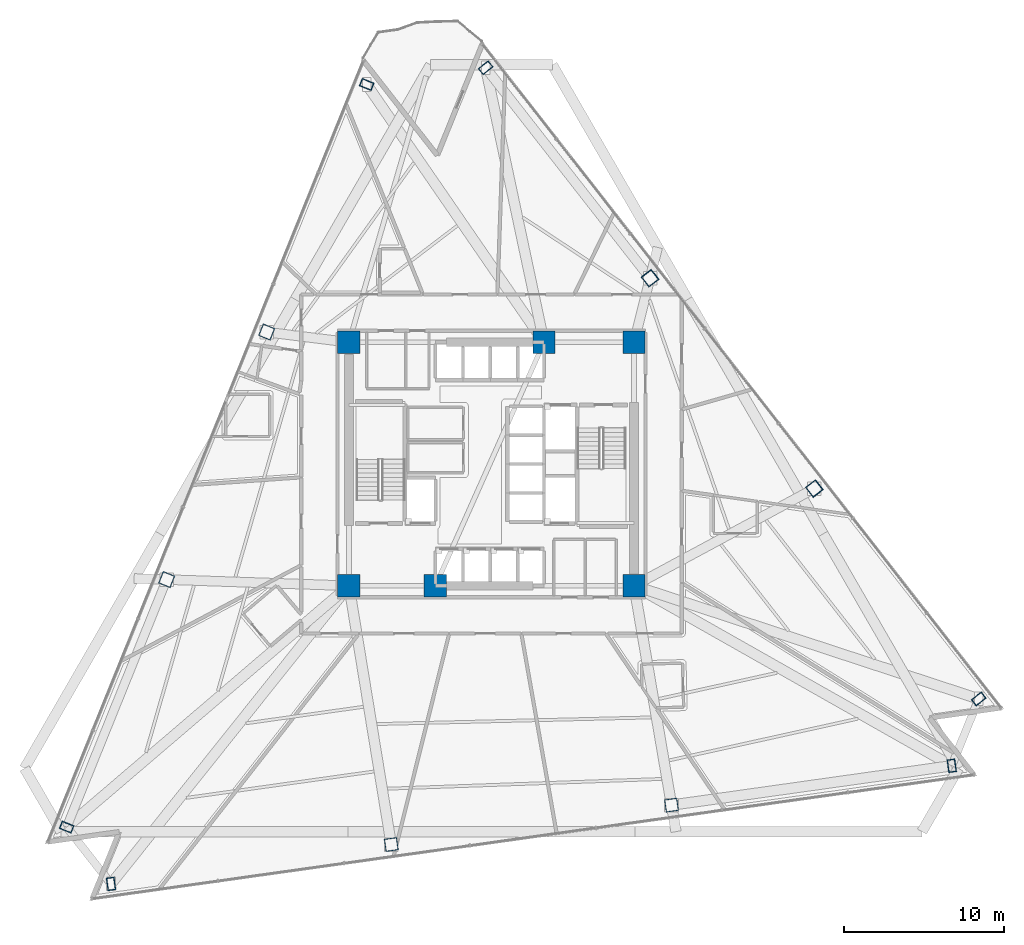
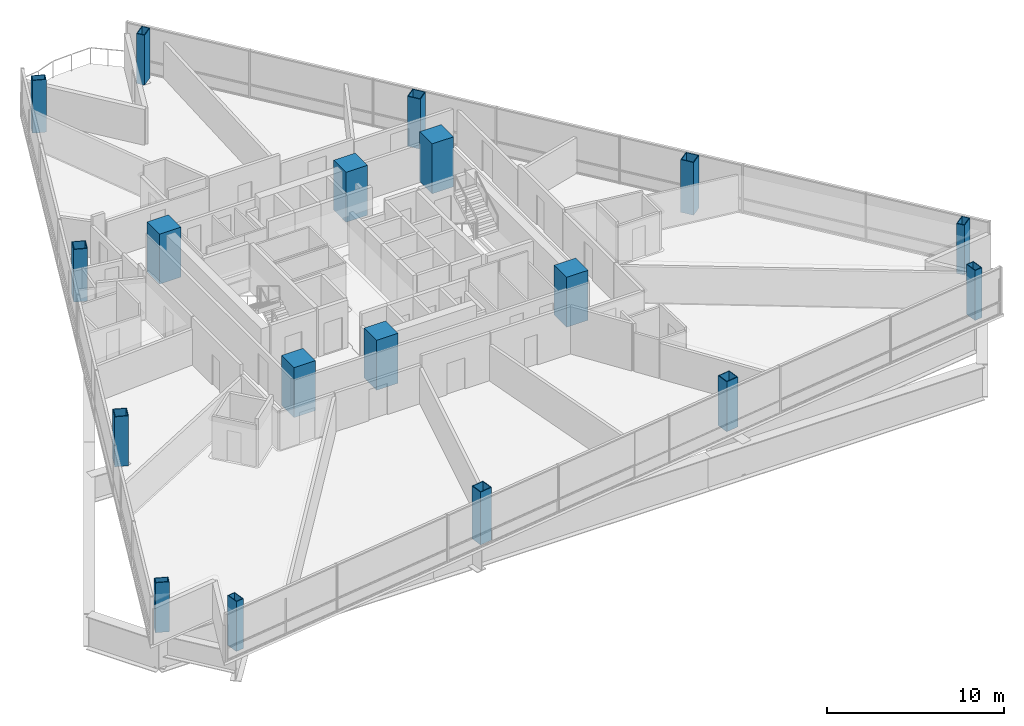
# One storey, part 1 of 15: 18 columns.
"""IFC4 building model written with IfcOpenShell, lengths in metres."""

import ifcopenshell
import ifcopenshell.guid

model = None  # the IFC model being written
_history = None  # IfcOwnerHistory: only IFC2X3 demands one
_inside = {}  # id of a spatial element -> (the spatial element, [elements in it])
_under = {}  # id of a project, library or spatial element -> (it, [spatial elements below it])
_declared = {}  # id of a project -> (the project, [libraries it declares])
_typed = {}  # id of a type object -> (the type object, [elements of that type])
_made_of = {}  # id of a material, layer set ... -> (it, [elements and type objects made of it])


def new_model(schema):
    """Start an empty IFC model of exactly this schema.

    Asked for "IFC4X3", IfcOpenShell would pick the latest addendum, in which some entities
    have other attributes; the version numbers below select the first issue.
    IFC2X3 requires an IfcOwnerHistory on every rooted entity: one is made here for all.
    """
    global model, _history
    if schema == "IFC4X3":
        model = ifcopenshell.file(schema_version=(4, 3, 0, 0))
    else:
        model = ifcopenshell.file(schema=schema)
    _inside.clear()
    _under.clear()
    _declared.clear()
    _typed.clear()
    _made_of.clear()
    _history = None
    if model.schema == "IFC2X3":
        org = make("IfcOrganization", Name="unknown")
        user = make(
            "IfcPersonAndOrganization",
            ThePerson=make("IfcPerson", FamilyName="unknown"),
            TheOrganization=org,
        )
        app = make(
            "IfcApplication",
            ApplicationDeveloper=org,
            Version="unknown",
            ApplicationFullName="unknown",
            ApplicationIdentifier="unknown",
        )
        _history = make(
            "IfcOwnerHistory",
            OwningUser=user,
            OwningApplication=app,
            ChangeAction="ADDED",
            CreationDate=0,
        )
    return model


def make(cls, **values):
    """One entity of the class cls with the attributes given. An attribute that is None is left unset."""
    return model.create_entity(
        cls, **{name: value for name, value in values.items() if value is not None}
    )


def rooted(cls, **values):
    """An entity with a GlobalId (a new one), such as an element, a storey or a relation."""
    return make(cls, GlobalId=ifcopenshell.guid.new(), OwnerHistory=_history, **values)


def si_unit(unit_type, name, prefix=None):
    """IfcSIUnit, for example si_unit("LENGTHUNIT", "METRE", prefix="MILLI")."""
    return make("IfcSIUnit", UnitType=unit_type, Prefix=prefix, Name=name)


def assignment(units):
    """IfcUnitAssignment: the units of a project."""
    return None if units is None else make("IfcUnitAssignment", Units=units)


def point(xyz):
    """IfcCartesianPoint."""
    return None if xyz is None else make("IfcCartesianPoint", Coordinates=xyz)


def direction(xyz):
    """IfcDirection."""
    return None if xyz is None else make("IfcDirection", DirectionRatios=xyz)


def frame(location, z_axis=None, x_axis=None):
    """IfcAxis2Placement3D, a coordinate frame: its origin and axes. An axis left out is left unset."""
    return make(
        "IfcAxis2Placement3D",
        Location=point(location),
        Axis=direction(z_axis),
        RefDirection=direction(x_axis),
    )


def frame_2d(location, x_axis=None):
    """IfcAxis2Placement2D, a coordinate frame in the plane: its origin and x axis."""
    return make(
        "IfcAxis2Placement2D", Location=point(location), RefDirection=direction(x_axis)
    )


def origin():
    """The frame at (0, 0, 0) with its axes left unset."""
    return frame((0.0, 0.0, 0.0))


def origin_2d():
    """The frame at (0, 0) in the plane with its x axis left unset."""
    return frame_2d((0.0, 0.0))


def place(relative_to, where):
    """IfcLocalPlacement: puts the frame where relative to a parent placement (None: the world)."""
    return make(
        "IfcLocalPlacement", PlacementRelTo=relative_to, RelativePlacement=where
    )


def context(
    kind, dimensions, precision=None, world=None, true_north=None, identifier=None
):
    """IfcGeometricRepresentationContext, for example the 3D "Model" context."""
    return make(
        "IfcGeometricRepresentationContext",
        ContextIdentifier=identifier,
        ContextType=kind,
        CoordinateSpaceDimension=dimensions,
        Precision=precision,
        WorldCoordinateSystem=world,
        TrueNorth=true_north,
    )


def subcontext(parent, identifier, kind, view, scale=None):
    """IfcGeometricRepresentationSubContext, for example "Body" below "Model"."""
    return make(
        "IfcGeometricRepresentationSubContext",
        ContextIdentifier=identifier,
        ContextType=kind,
        ParentContext=parent,
        TargetScale=scale,
        TargetView=view,
    )


def project(units=None, contexts=None):
    """IfcProject with its units and contexts."""
    return rooted(
        "IfcProject",
        Name="project",
        RepresentationContexts=contexts,
        UnitsInContext=assignment(units),
    )


def spatial(cls, under=None, at=None, **own):
    """A site, building, storey or space (cls), placed at a placement, below another one or the project."""
    s = rooted(cls, ObjectPlacement=at, **own)
    if under is not None:
        _under.setdefault(under.id(), (under, []))[1].append(s)
    return s


def profile(cls, at=None, kind="AREA", **sizes):
    """A parametric profile (cls). Its sizes go by their IFC names, for example OverallWidth=200.0."""
    return make(cls, ProfileType=kind, Position=at, **sizes)


def rectangle(**sizes):
    """IfcRectangleProfileDef."""
    return profile("IfcRectangleProfileDef", **sizes)


def hollow_rectangle(**sizes):
    """IfcRectangleHollowProfileDef."""
    return profile("IfcRectangleHollowProfileDef", **sizes)


def extrude(swept, where, along, depth):
    """IfcExtrudedAreaSolid: the profile swept, set in the frame where, extruded along a direction by depth."""
    return make(
        "IfcExtrudedAreaSolid",
        SweptArea=swept,
        Position=where,
        ExtrudedDirection=direction(along),
        Depth=depth,
    )


def shape(context_of_items, identifier, shape_type, items):
    """IfcShapeRepresentation: the items that make up one representation, for example the "Body"."""
    return make(
        "IfcShapeRepresentation",
        ContextOfItems=context_of_items,
        RepresentationIdentifier=identifier,
        RepresentationType=shape_type,
        Items=items,
    )


def material(Name=None, Category=None):
    """IfcMaterial."""
    return make("IfcMaterial", Name=Name, Category=Category)


def material_profile(
    of_material, cross_section, Name=None, Category=None, Priority=None
):
    """IfcMaterialProfile: a cross section and its material."""
    return make(
        "IfcMaterialProfile",
        Name=Name,
        Material=of_material,
        Profile=cross_section,
        Priority=Priority,
        Category=Category,
    )


def profile_set(profiles, Name=None, composite=None):
    """IfcMaterialProfileSet."""
    return make(
        "IfcMaterialProfileSet",
        Name=Name,
        MaterialProfiles=profiles,
        CompositeProfile=composite,
    )


def made_of(thing, what):
    """Note that an element or type object is made of a material, layer set ...; save() writes the relation."""
    if what is not None:
        _made_of.setdefault(what.id(), (what, []))[1].append(thing)
    return thing


def type_object(cls, material=None, **own):
    """A type object (cls), such as IfcWallType, which elements share."""
    return made_of(rooted(cls, **own), material)


def element(
    cls,
    number,
    at=None,
    inside=None,
    cuts=None,
    type_object=None,
    material=None,
    context=None,
    identifier="Body",
    shape_type=None,
    held_by="IfcProductDefinitionShape",
    body=None,
    shapes=None,
    **own,
):
    """One element of the class cls, such as IfcWall. Its Tag is "e" and its number.

    at: its placement. inside: the storey or other place that contains it. cuts: it is an
    opening in that element (IfcRelVoidsElement). A single representation is given by context,
    identifier, shape_type and body (its items); several are given by shapes. held_by: the class
    of the entity that holds the representations. save() writes the other relations.
    """
    e = rooted(cls, Tag="e%d" % number, ObjectPlacement=at, **own)
    if body is not None:
        shapes = [shape(context, identifier, shape_type, body)]
    if shapes is not None:
        e.Representation = make(held_by, Representations=shapes)
    if inside is not None:
        _inside.setdefault(inside.id(), (inside, []))[1].append(e)
    if cuts is not None:
        rooted(
            "IfcRelVoidsElement", RelatingBuildingElement=cuts, RelatedOpeningElement=e
        )
    if type_object is not None:
        _typed.setdefault(type_object.id(), (type_object, []))[1].append(e)
    return made_of(e, material)


def aggregate(whole, parts):
    """IfcRelAggregates: a whole, such as a stair, and the parts it consists of."""
    return rooted("IfcRelAggregates", RelatingObject=whole, RelatedObjects=parts)


def save(model, path):
    """Write the relations noted so far, then the file.

    IfcRelAggregates (storeys below a building ...), IfcRelContainedInSpatialStructure (elements
    in a storey), IfcRelDefinesByType, IfcRelAssociatesMaterial and IfcRelDeclares: one each for
    every whole, place, type object, material and project.
    """
    for whole, parts in _under.values():
        aggregate(whole, parts)
    for where, things in _inside.values():
        rooted(
            "IfcRelContainedInSpatialStructure",
            RelatedElements=things,
            RelatingStructure=where,
        )
    for kind, things in _typed.values():
        rooted("IfcRelDefinesByType", RelatedObjects=things, RelatingType=kind)
    for what, things in _made_of.values():
        rooted("IfcRelAssociatesMaterial", RelatedObjects=things, RelatingMaterial=what)
    for by, libraries in _declared.values():
        rooted("IfcRelDeclares", RelatingContext=by, RelatedDefinitions=libraries)
    model.write(path)


model = new_model("IFC4")

# Units and contexts
model_context = context("Model", 3, precision=1e-05, world=origin(), true_north=direction((0.0, 1.0)))
body_context = subcontext(model_context, "Body", "Model", "MODEL_VIEW")
ifc_project = project(units=[si_unit("LENGTHUNIT", "METRE"), si_unit("AREAUNIT", "SQUARE_METRE"), si_unit("VOLUMEUNIT", "CUBIC_METRE"), si_unit("PLANEANGLEUNIT", "RADIAN"), si_unit("MASSUNIT", "GRAM", prefix="KILO")], contexts=[model_context])

# Site, building, storey
site_placement = place(None, origin())
site = spatial("IfcSite", under=ifc_project, at=site_placement, CompositionType="ELEMENT")
building_placement = place(site_placement, origin())
building = spatial("IfcBuilding", under=site, at=building_placement, Name="Tharavind Bronze Gate", CompositionType="ELEMENT")
storey_placement = place(building_placement, frame((0.0, 0.0, 57.0)))
storey = spatial("IfcBuildingStorey", under=building, at=storey_placement, Name="L13", CompositionType="ELEMENT", Elevation=57.0)

# Columns
ifc_material_1 = material(Name="Steel S460", Category="steel")
ifc_material_profile_1 = material_profile(ifc_material_1, hollow_rectangle(XDim=0.5, YDim=0.800048828125, WallThickness=0.0400390625, at=origin_2d()), Name="RHS800X500X40")
ifc_profile_set_1 = profile_set([ifc_material_profile_1], Name="Steel S460")
column_type_1 = type_object("IfcColumnType", Name="CORNER NOTCH COLUMN RHS800X500", PredefinedType="COLUMN", material=ifc_profile_set_1)
column_1_placement = place(storey_placement, frame((-7.7919921875, 23.69775390625, -0.18994140625), z_axis=(0.0, 0.0, 1.0), x_axis=(0.374608211656, 0.927183200754, 0.0)))
element("IfcColumn", 1, at=column_1_placement, inside=storey, type_object=column_type_1, Name="L13 perimeter column S1C1", PredefinedType="COLUMN", context=body_context, shape_type="SweptSolid", body=[
    extrude(hollow_rectangle(XDim=0.5, YDim=0.800048828125, WallThickness=0.0400390625, at=origin_2d()), origin(), (0.0, 0.0, 1.0), 3.639892578125),
])
for number, where, z_axis, x_axis, name in (
    (2, (-26.525146484375, -22.66845703125, 0.0), (0.0, 0.0, 1.0), (0.374608211656, 0.927183200754, 0.0), "L13 perimeter column S1C4"),
    (3, (-23.754638671875, -26.21435546875, 0.0), (0.0, 0.0, 1.0), (0.990268068742, 0.13917310096, 0.0), "L13 perimeter column S2C1"),
    (4, (28.737060546875, -18.837158203125, 0.0), (0.0, 0.0, 1.0), (0.990268068742, 0.13917310096, 0.0), "L13 perimeter column S2C4"),
    (5, (30.422607421875, -14.664794921875, 0.0), (0.0, 0.0, 1.0), (-0.615661475326, 0.788010753607, 0.0), "L13 perimeter column S3C1"),
    (6, (-0.364990234375, 24.741455078125, 0.0), (0.0, 0.0, 1.0), (-0.615661475326, 0.788010753607, 0.0), "L13 perimeter column S3C4"),
):
    element("IfcColumn", number, at=place(storey_placement, frame(where, z_axis=z_axis, x_axis=x_axis)), inside=storey, type_object=column_type_1, Name=name, PredefinedType="COLUMN", context=body_context, shape_type="SweptSolid", body=[
        extrude(hollow_rectangle(XDim=0.5, YDim=0.800048828125, WallThickness=0.0400390625, at=origin_2d()), origin(), (0.0, 0.0, 1.0), 3.449951171875),
    ])
ifc_material_2 = material(Name="Concrete C70/85", Category="concrete")
ifc_material_profile_2 = material_profile(ifc_material_2, rectangle(XDim=1.39990234375, YDim=1.39990234375, at=origin_2d()), Name="RCCOL1400")
ifc_profile_set_2 = profile_set([ifc_material_profile_2], Name="Concrete C70/85")
column_type_2 = type_object("IfcColumnType", Name="MEGA CORE COLUMN 1400", PredefinedType="COLUMN", material=ifc_profile_set_2)
for number, where, z_axis, x_axis, name in (
    (7, (-8.89990234375, -7.60009765625, 0.0), (0.0, 0.0, 1.0), (1.0, 0.0, 0.0), "L13 core mega column MC1"),
    (8, (-3.5, -7.60009765625, 0.0), (0.0, 0.0, 1.0), (1.0, 0.0, 0.0), "L13 core mega column MC2"),
    (9, (8.89990234375, -7.60009765625, 0.0), (0.0, 0.0, 1.0), (1.0, 0.0, 0.0), "L13 core mega column MC3"),
    (10, (8.89990234375, 7.60009765625, 0.0), (0.0, 0.0, 1.0), (1.0, 0.0, 0.0), "L13 core mega column MC4"),
    (11, (3.280029296875, 7.60009765625, 0.0), (0.0, 0.0, 1.0), (1.0, 0.0, 0.0), "L13 core mega column MC5"),
    (12, (-8.89990234375, 7.60009765625, 0.0), (0.0, 0.0, 1.0), (1.0, 0.0, 0.0), "L13 core mega column MC6"),
):
    element("IfcColumn", number, at=place(storey_placement, frame(where, z_axis=z_axis, x_axis=x_axis)), inside=storey, type_object=column_type_2, Name=name, PredefinedType="COLUMN", context=body_context, shape_type="SweptSolid", body=[
        extrude(rectangle(XDim=1.39990234375, YDim=1.39990234375, at=origin_2d()), origin(), (0.0, 0.0, 1.0), 3.449951171875),
    ])
ifc_material_profile_3 = material_profile(ifc_material_1, hollow_rectangle(XDim=0.800048828125, YDim=0.800048828125, WallThickness=0.044921875, at=origin_2d()), Name="SHS800X45")
ifc_profile_set_3 = profile_set([ifc_material_profile_3], Name="Steel S460")
column_type_3 = type_object("IfcColumnType", Name="PERIMETER BOX COLUMN SHS800", PredefinedType="COLUMN", material=ifc_profile_set_3)
column_2_placement = place(storey_placement, frame((-14.036376953125, 8.2421875, -0.18994140625), z_axis=(0.0, 0.0, 1.0), x_axis=(0.374608211656, 0.927183200754, 0.0)))
element("IfcColumn", 13, at=column_2_placement, inside=storey, type_object=column_type_3, Name="L13 perimeter column S1C2", PredefinedType="COLUMN", context=body_context, shape_type="SweptSolid", body=[
    extrude(hollow_rectangle(XDim=0.800048828125, YDim=0.800048828125, WallThickness=0.044921875, at=origin_2d()), origin(), (0.0, 0.0, 1.0), 3.639892578125),
])
column_3_placement = place(storey_placement, frame((-20.28076171875, -7.212890625, 0.0), z_axis=(0.0, 0.0, 1.0), x_axis=(0.374608211656, 0.927183200754, 0.0)))
element("IfcColumn", 14, at=column_3_placement, inside=storey, type_object=column_type_3, Name="L13 perimeter column S1C3", PredefinedType="COLUMN", context=body_context, shape_type="SweptSolid", body=[
    extrude(hollow_rectangle(XDim=0.800048828125, YDim=0.800048828125, WallThickness=0.044921875, at=origin_2d()), origin(), (0.0, 0.0, 1.0), 3.449951171875),
])
column_4_placement = place(storey_placement, frame((-6.25732421875, -23.75537109375, -0.18994140625), z_axis=(0.0, 0.0, 1.0), x_axis=(0.990268068742, 0.13917310096, 0.0)))
element("IfcColumn", 15, at=column_4_placement, inside=storey, type_object=column_type_3, Name="L13 perimeter column S2C2", PredefinedType="COLUMN", context=body_context, shape_type="SweptSolid", body=[
    extrude(hollow_rectangle(XDim=0.800048828125, YDim=0.800048828125, WallThickness=0.044921875, at=origin_2d()), origin(), (0.0, 0.0, 1.0), 3.639892578125),
])
column_5_placement = place(storey_placement, frame((11.23974609375, -21.29638671875, 0.0), z_axis=(0.0, 0.0, 1.0), x_axis=(0.990268068742, 0.13917310096, 0.0)))
element("IfcColumn", 16, at=column_5_placement, inside=storey, type_object=column_type_3, Name="L13 perimeter column S2C3", PredefinedType="COLUMN", context=body_context, shape_type="SweptSolid", body=[
    extrude(hollow_rectangle(XDim=0.800048828125, YDim=0.800048828125, WallThickness=0.044921875, at=origin_2d()), origin(), (0.0, 0.0, 1.0), 3.449951171875),
])
column_6_placement = place(storey_placement, frame((20.16015625, -1.529296875, -0.18994140625), z_axis=(0.0, 0.0, 1.0), x_axis=(-0.615661475326, 0.788010753607, 0.0)))
element("IfcColumn", 17, at=column_6_placement, inside=storey, type_object=column_type_3, Name="L13 perimeter column S3C2", PredefinedType="COLUMN", context=body_context, shape_type="SweptSolid", body=[
    extrude(hollow_rectangle(XDim=0.800048828125, YDim=0.800048828125, WallThickness=0.044921875, at=origin_2d()), origin(), (0.0, 0.0, 1.0), 3.639892578125),
])
column_7_placement = place(storey_placement, frame((9.897705078125, 11.60595703125, 0.0), z_axis=(0.0, 0.0, 1.0), x_axis=(-0.615661475326, 0.788010753607, 0.0)))
element("IfcColumn", 18, at=column_7_placement, inside=storey, type_object=column_type_3, Name="L13 perimeter column S3C3", PredefinedType="COLUMN", context=body_context, shape_type="SweptSolid", body=[
    extrude(hollow_rectangle(XDim=0.800048828125, YDim=0.800048828125, WallThickness=0.044921875, at=origin_2d()), origin(), (0.0, 0.0, 1.0), 3.449951171875),
])

save(model, "model.ifc")
